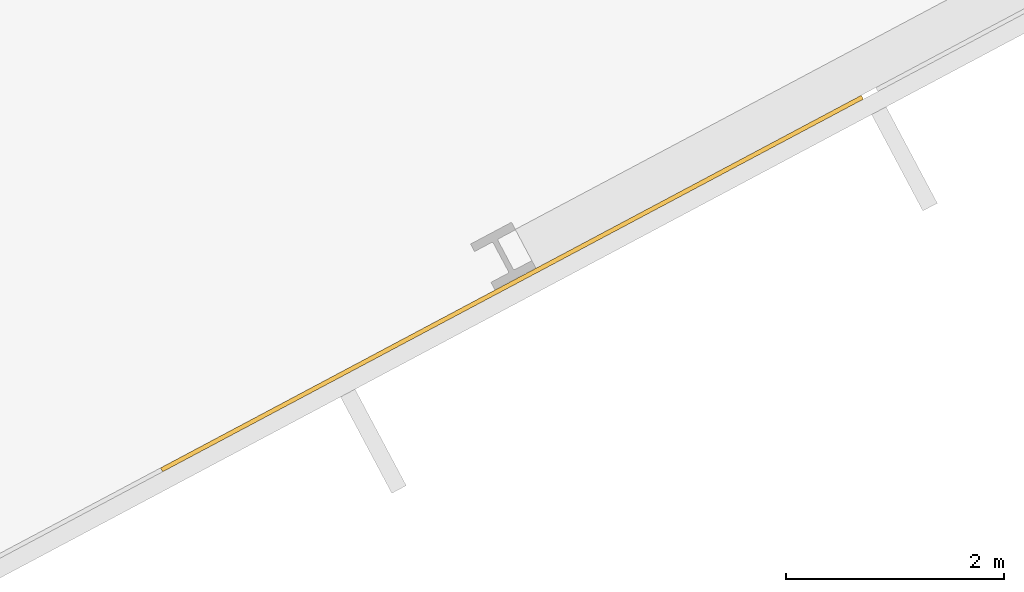
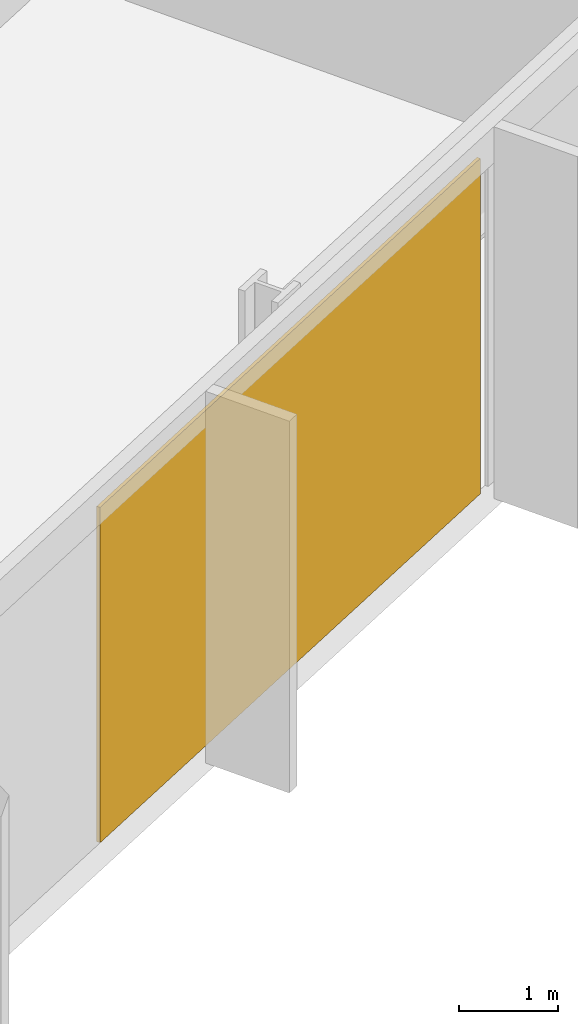
# One storey, part 27 of 30: 1 covering, 1 element without a shape of its own.
"""IFC4 building model written with IfcOpenShell, lengths in metres."""

from ifc_helpers import new_model, si_unit, direction, frame, origin, origin_2d, place, context, subcontext, project, spatial, rectangle, extrude, material, layer, layer_set, type_object, element, aggregate, save


model = new_model("IFC4")

# Units and contexts
model_context = context("Model", 3, precision=1e-05, world=origin(), true_north=direction((0.0, 1.0)))
body_context = subcontext(model_context, "Body", "Model", "MODEL_VIEW")
ifc_project = project(units=[si_unit("LENGTHUNIT", "METRE"), si_unit("AREAUNIT", "SQUARE_METRE"), si_unit("VOLUMEUNIT", "CUBIC_METRE"), si_unit("PLANEANGLEUNIT", "RADIAN"), si_unit("MASSUNIT", "GRAM", prefix="KILO")], contexts=[model_context])

# Site, building, storey
site_placement = place(None, origin())
site = spatial("IfcSite", under=ifc_project, at=site_placement, CompositionType="ELEMENT")
building_placement = place(site_placement, origin())
building = spatial("IfcBuilding", under=site, at=building_placement, Name="Cormorant Relay Tower", CompositionType="ELEMENT")
storey_placement = place(building_placement, frame((0.0, 0.0, 84.60009765625)))
storey = spatial("IfcBuildingStorey", under=building, at=storey_placement, Name="L16", CompositionType="ELEMENT", Elevation=84.60009765625)

# Curtain wall, covering
ifc_material_1 = material(Name="Aluminium 6063-T6 anodised bronze", Category="aluminium")
ifc_layer_1 = layer(ifc_material_1, 0.199951171875)
ifc_layer_set_1 = layer_set([ifc_layer_1], Name="CW1 unitised bronze curtain wall with vertical fins")
curtain_wall_type = type_object("IfcCurtainWallType", Name="CW1 unitised bronze curtain wall with vertical fins", PredefinedType="NOTDEFINED", material=ifc_layer_set_1)
curtain_wall_placement = place(storey_placement, origin())
curtain_wall = element("IfcCurtainWall", 1, at=curtain_wall_placement, inside=storey, type_object=curtain_wall_type, Name="CW1 curtain wall 2", PredefinedType="NOTDEFINED")
ifc_material_2 = material(Name="Pale bronze anodised aluminium insulated panel", Category="aluminium")
ifc_layer_2 = layer(ifc_material_2, 0.0400390625)
ifc_layer_set_2 = layer_set([ifc_layer_2], Name="CW1 pale bronze insulated panel 40")
covering_type = type_object("IfcCoveringType", Name="CW1 pale bronze insulated panel 40", PredefinedType="CLADDING", material=ifc_layer_set_2)
covering_placement = place(storey_placement, frame((52.914306640625, 4.328369140625, 0.0), z_axis=(0.0, 0.0, 1.0), x_axis=(0.882947592859, 0.469471562786, 0.0)))
covering = element("IfcCovering", 2, at=covering_placement, type_object=covering_type, Name="CW1 panel S11", PredefinedType="CLADDING", context=body_context, shape_type="SweptSolid", body=[
    extrude(rectangle(XDim=7.273681640625, YDim=0.0400390625, at=origin_2d()), origin(), (0.0, 0.0, 1.0), 4.14990234375),
])
aggregate(curtain_wall, [covering])

save(model, "model.ifc")
